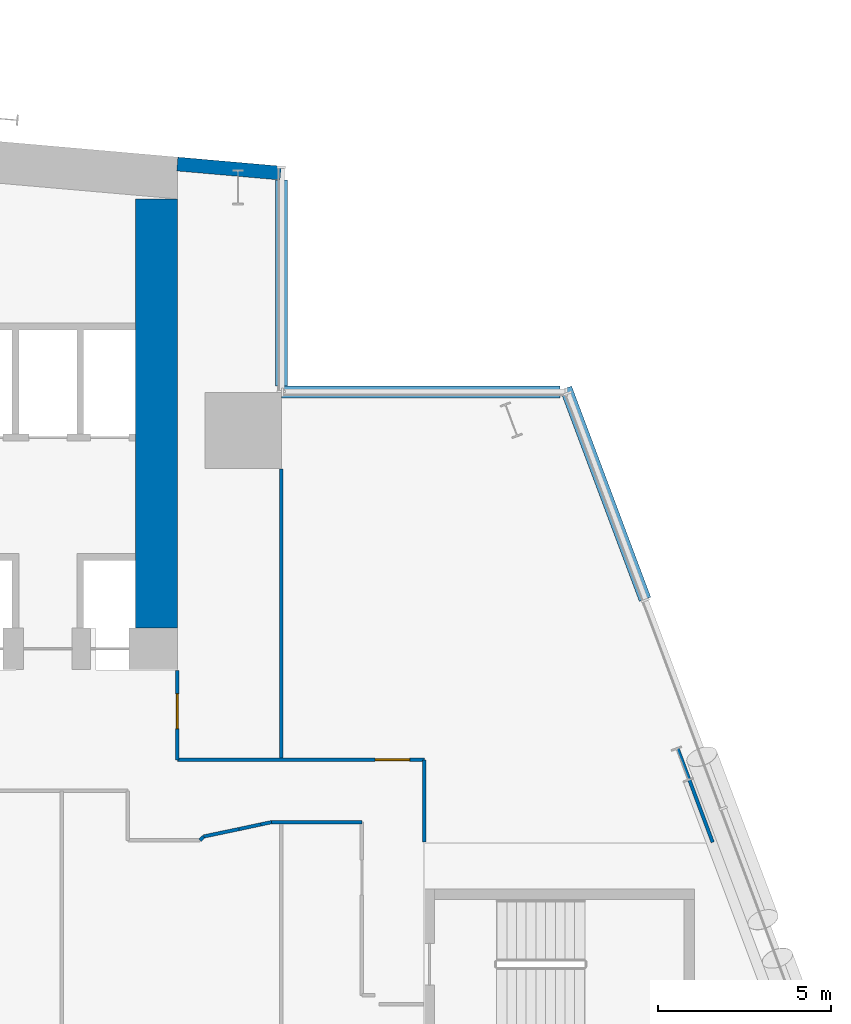
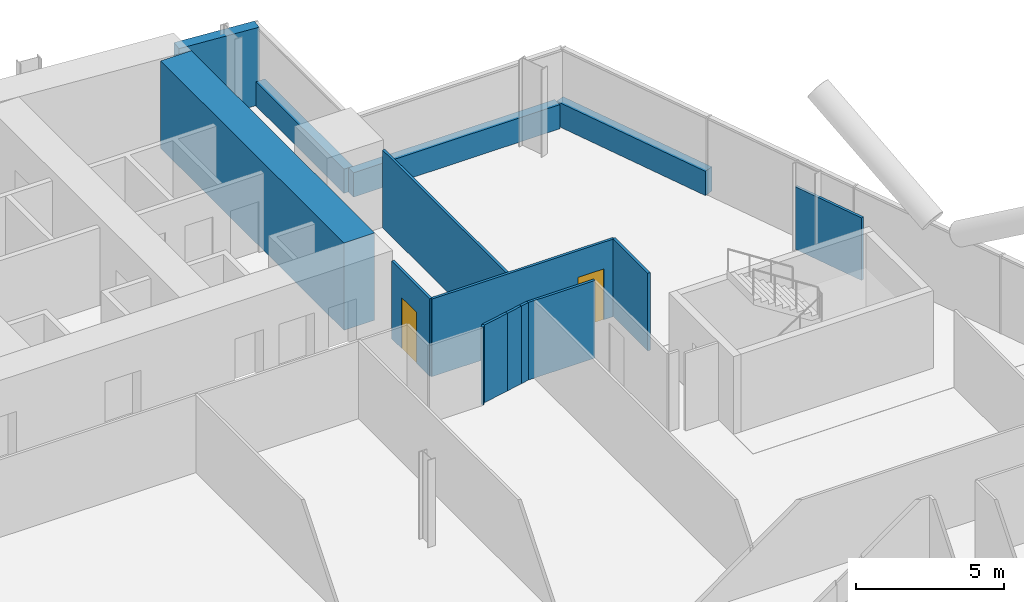
# One storey, part 19 of 27: 15 walls, 2 doors, 2 openings.
"""IFC4 building model written with IfcOpenShell, lengths in metres."""

import ifcopenshell
import ifcopenshell.guid

model = None  # the IFC model being written
_history = None  # IfcOwnerHistory: only IFC2X3 demands one
_inside = {}  # id of a spatial element -> (the spatial element, [elements in it])
_under = {}  # id of a project, library or spatial element -> (it, [spatial elements below it])
_declared = {}  # id of a project -> (the project, [libraries it declares])
_typed = {}  # id of a type object -> (the type object, [elements of that type])
_made_of = {}  # id of a material, layer set ... -> (it, [elements and type objects made of it])


def new_model(schema):
    """Start an empty IFC model of exactly this schema.

    Asked for "IFC4X3", IfcOpenShell would pick the latest addendum, in which some entities
    have other attributes; the version numbers below select the first issue.
    IFC2X3 requires an IfcOwnerHistory on every rooted entity: one is made here for all.
    """
    global model, _history
    if schema == "IFC4X3":
        model = ifcopenshell.file(schema_version=(4, 3, 0, 0))
    else:
        model = ifcopenshell.file(schema=schema)
    _inside.clear()
    _under.clear()
    _declared.clear()
    _typed.clear()
    _made_of.clear()
    _history = None
    if model.schema == "IFC2X3":
        org = make("IfcOrganization", Name="unknown")
        user = make(
            "IfcPersonAndOrganization",
            ThePerson=make("IfcPerson", FamilyName="unknown"),
            TheOrganization=org,
        )
        app = make(
            "IfcApplication",
            ApplicationDeveloper=org,
            Version="unknown",
            ApplicationFullName="unknown",
            ApplicationIdentifier="unknown",
        )
        _history = make(
            "IfcOwnerHistory",
            OwningUser=user,
            OwningApplication=app,
            ChangeAction="ADDED",
            CreationDate=0,
        )
    return model


def make(cls, **values):
    """One entity of the class cls with the attributes given. An attribute that is None is left unset."""
    return model.create_entity(
        cls, **{name: value for name, value in values.items() if value is not None}
    )


def rooted(cls, **values):
    """An entity with a GlobalId (a new one), such as an element, a storey or a relation."""
    return make(cls, GlobalId=ifcopenshell.guid.new(), OwnerHistory=_history, **values)


def si_unit(unit_type, name, prefix=None):
    """IfcSIUnit, for example si_unit("LENGTHUNIT", "METRE", prefix="MILLI")."""
    return make("IfcSIUnit", UnitType=unit_type, Prefix=prefix, Name=name)


def assignment(units):
    """IfcUnitAssignment: the units of a project."""
    return None if units is None else make("IfcUnitAssignment", Units=units)


def point(xyz):
    """IfcCartesianPoint."""
    return None if xyz is None else make("IfcCartesianPoint", Coordinates=xyz)


def direction(xyz):
    """IfcDirection."""
    return None if xyz is None else make("IfcDirection", DirectionRatios=xyz)


def frame(location, z_axis=None, x_axis=None):
    """IfcAxis2Placement3D, a coordinate frame: its origin and axes. An axis left out is left unset."""
    return make(
        "IfcAxis2Placement3D",
        Location=point(location),
        Axis=direction(z_axis),
        RefDirection=direction(x_axis),
    )


def frame_2d(location, x_axis=None):
    """IfcAxis2Placement2D, a coordinate frame in the plane: its origin and x axis."""
    return make(
        "IfcAxis2Placement2D", Location=point(location), RefDirection=direction(x_axis)
    )


def origin():
    """The frame at (0, 0, 0) with its axes left unset."""
    return frame((0.0, 0.0, 0.0))


def place(relative_to, where):
    """IfcLocalPlacement: puts the frame where relative to a parent placement (None: the world)."""
    return make(
        "IfcLocalPlacement", PlacementRelTo=relative_to, RelativePlacement=where
    )


def context(
    kind, dimensions, precision=None, world=None, true_north=None, identifier=None
):
    """IfcGeometricRepresentationContext, for example the 3D "Model" context."""
    return make(
        "IfcGeometricRepresentationContext",
        ContextIdentifier=identifier,
        ContextType=kind,
        CoordinateSpaceDimension=dimensions,
        Precision=precision,
        WorldCoordinateSystem=world,
        TrueNorth=true_north,
    )


def subcontext(parent, identifier, kind, view, scale=None):
    """IfcGeometricRepresentationSubContext, for example "Body" below "Model"."""
    return make(
        "IfcGeometricRepresentationSubContext",
        ContextIdentifier=identifier,
        ContextType=kind,
        ParentContext=parent,
        TargetScale=scale,
        TargetView=view,
    )


def project(units=None, contexts=None):
    """IfcProject with its units and contexts."""
    return rooted(
        "IfcProject",
        Name="project",
        RepresentationContexts=contexts,
        UnitsInContext=assignment(units),
    )


def spatial(cls, under=None, at=None, **own):
    """A site, building, storey or space (cls), placed at a placement, below another one or the project."""
    s = rooted(cls, ObjectPlacement=at, **own)
    if under is not None:
        _under.setdefault(under.id(), (under, []))[1].append(s)
    return s


def profile(cls, at=None, kind="AREA", **sizes):
    """A parametric profile (cls). Its sizes go by their IFC names, for example OverallWidth=200.0."""
    return make(cls, ProfileType=kind, Position=at, **sizes)


def rectangle(**sizes):
    """IfcRectangleProfileDef."""
    return profile("IfcRectangleProfileDef", **sizes)


def extrude(swept, where, along, depth):
    """IfcExtrudedAreaSolid: the profile swept, set in the frame where, extruded along a direction by depth."""
    return make(
        "IfcExtrudedAreaSolid",
        SweptArea=swept,
        Position=where,
        ExtrudedDirection=direction(along),
        Depth=depth,
    )


def shape(context_of_items, identifier, shape_type, items):
    """IfcShapeRepresentation: the items that make up one representation, for example the "Body"."""
    return make(
        "IfcShapeRepresentation",
        ContextOfItems=context_of_items,
        RepresentationIdentifier=identifier,
        RepresentationType=shape_type,
        Items=items,
    )


def material(Name=None, Category=None):
    """IfcMaterial."""
    return make("IfcMaterial", Name=Name, Category=Category)


def layer(
    of_material, thickness, ventilated=None, Name=None, Category=None, Priority=None
):
    """IfcMaterialLayer: one layer of a wall or slab, of a material (None: an air gap)."""
    return make(
        "IfcMaterialLayer",
        Material=of_material,
        LayerThickness=thickness,
        IsVentilated=ventilated,
        Name=Name,
        Category=Category,
        Priority=Priority,
    )


def layer_set(layers, Name=None):
    """IfcMaterialLayerSet."""
    return make("IfcMaterialLayerSet", MaterialLayers=layers, LayerSetName=Name)


def made_of(thing, what):
    """Note that an element or type object is made of a material, layer set ...; save() writes the relation."""
    if what is not None:
        _made_of.setdefault(what.id(), (what, []))[1].append(thing)
    return thing


def type_object(cls, material=None, **own):
    """A type object (cls), such as IfcWallType, which elements share."""
    return made_of(rooted(cls, **own), material)


def element(
    cls,
    number,
    at=None,
    inside=None,
    cuts=None,
    type_object=None,
    material=None,
    context=None,
    identifier="Body",
    shape_type=None,
    held_by="IfcProductDefinitionShape",
    body=None,
    shapes=None,
    **own,
):
    """One element of the class cls, such as IfcWall. Its Tag is "e" and its number.

    at: its placement. inside: the storey or other place that contains it. cuts: it is an
    opening in that element (IfcRelVoidsElement). A single representation is given by context,
    identifier, shape_type and body (its items); several are given by shapes. held_by: the class
    of the entity that holds the representations. save() writes the other relations.
    """
    e = rooted(cls, Tag="e%d" % number, ObjectPlacement=at, **own)
    if body is not None:
        shapes = [shape(context, identifier, shape_type, body)]
    if shapes is not None:
        e.Representation = make(held_by, Representations=shapes)
    if inside is not None:
        _inside.setdefault(inside.id(), (inside, []))[1].append(e)
    if cuts is not None:
        rooted(
            "IfcRelVoidsElement", RelatingBuildingElement=cuts, RelatedOpeningElement=e
        )
    if type_object is not None:
        _typed.setdefault(type_object.id(), (type_object, []))[1].append(e)
    return made_of(e, material)


def fill(opening, filler):
    """IfcRelFillsElement: the door or window that sits in an opening."""
    return rooted(
        "IfcRelFillsElement",
        RelatingOpeningElement=opening,
        RelatedBuildingElement=filler,
    )


def aggregate(whole, parts):
    """IfcRelAggregates: a whole, such as a stair, and the parts it consists of."""
    return rooted("IfcRelAggregates", RelatingObject=whole, RelatedObjects=parts)


def save(model, path):
    """Write the relations noted so far, then the file.

    IfcRelAggregates (storeys below a building ...), IfcRelContainedInSpatialStructure (elements
    in a storey), IfcRelDefinesByType, IfcRelAssociatesMaterial and IfcRelDeclares: one each for
    every whole, place, type object, material and project.
    """
    for whole, parts in _under.values():
        aggregate(whole, parts)
    for where, things in _inside.values():
        rooted(
            "IfcRelContainedInSpatialStructure",
            RelatedElements=things,
            RelatingStructure=where,
        )
    for kind, things in _typed.values():
        rooted("IfcRelDefinesByType", RelatedObjects=things, RelatingType=kind)
    for what, things in _made_of.values():
        rooted("IfcRelAssociatesMaterial", RelatedObjects=things, RelatingMaterial=what)
    for by, libraries in _declared.values():
        rooted("IfcRelDeclares", RelatingContext=by, RelatedDefinitions=libraries)
    model.write(path)


model = new_model("IFC4")

# Units and contexts
model_context = context("Model", 3, precision=1e-05, world=origin(), true_north=direction((0.0, 1.0)))
body_context = subcontext(model_context, "Body", "Model", "MODEL_VIEW")
ifc_project = project(units=[si_unit("LENGTHUNIT", "METRE"), si_unit("AREAUNIT", "SQUARE_METRE"), si_unit("VOLUMEUNIT", "CUBIC_METRE"), si_unit("PLANEANGLEUNIT", "RADIAN"), si_unit("MASSUNIT", "GRAM", prefix="KILO")], contexts=[model_context])

# Site, building, storey
site_placement = place(None, origin())
site = spatial("IfcSite", under=ifc_project, at=site_placement, CompositionType="ELEMENT")
building_placement = place(site_placement, origin())
building = spatial("IfcBuilding", under=site, at=building_placement, Name="Wharfspan Tower", CompositionType="ELEMENT")
storey_placement = place(building_placement, frame((0.0, 0.0, 84.699951)))
storey = spatial("IfcBuildingStorey", under=building, at=storey_placement, Name="L18", CompositionType="ELEMENT", Elevation=84.699951)

# Wall, opening, door
ifc_material_1 = material(Name="Gypsum board on steel studs", Category="steel")
ifc_layer_1 = layer(ifc_material_1, 0.100098)
ifc_layer_set_1 = layer_set([ifc_layer_1], Name="Gypsum board on steel studs")
wall_type_1 = type_object("IfcWallType", Name="Compartment wall 100 EI 60", PredefinedType="PARTITIONING", material=ifc_layer_set_1)
wall_1_placement = place(storey_placement, frame((65.0, 31.399902, 0.0), z_axis=(0.0, 0.0, 1.0), x_axis=(0.0, 1.0, 0.0)))
wall_1 = element("IfcWall", 1, at=wall_1_placement, inside=storey, type_object=wall_type_1, Name="Partition L18.w043", PredefinedType="PARTITIONING", context=body_context, shape_type="SweptSolid", body=[
    extrude(rectangle(XDim=2.580078, YDim=0.100098, at=frame_2d((1.290039, 0.0))), origin(), (0.0, 0.0, 1.0), 3.199951),
])
opening_1_placement = place(wall_1_placement, frame((0.899902, 0.0, 0.0)))
opening_1 = element("IfcOpeningElement", 2, at=opening_1_placement, cuts=wall_1, Name="Opening A5-27", PredefinedType="OPENING", context=body_context, shape_type="SweptSolid", body=[
    extrude(rectangle(XDim=1.0, YDim=2.100098, at=frame_2d((0.5, 1.050049))), frame((0.0, 0.060059, 0.0), z_axis=(0.0, -1.0, 0.0), x_axis=(1.0, 0.0, 0.0)), (0.0, 0.0, 1.0), 0.120117),
])
ifc_material_2 = material(Name="Fire-rated timber door leaf in steel frame", Category="steel")
door_type = type_object("IfcDoorType", Name="Door 1000 FD30S Right", OperationType="SINGLE_SWING_RIGHT", PredefinedType="DOOR", material=ifc_material_2)
door_1_placement = place(opening_1_placement, origin())
door_1 = element("IfcDoor", 3, at=door_1_placement, inside=storey, type_object=door_type, Name="Door A5-27", OperationType="SINGLE_SWING_RIGHT", OverallHeight=2.100098, OverallWidth=1.0, PredefinedType="DOOR", context=body_context, shape_type="SweptSolid", body=[
    extrude(rectangle(XDim=1.0, YDim=2.100098, at=frame_2d((0.5, 1.050049))), frame((0.0, 0.024902, 0.0), z_axis=(0.0, -1.0, 0.0), x_axis=(1.0, 0.0, 0.0)), (0.0, 0.0, 1.0), 0.050049),
])
fill(opening_1, door_1)

wall_2_placement = place(storey_placement, frame((65.0, 31.399902, 0.0), z_axis=(0.0, 0.0, 1.0), x_axis=(1.0, 0.0, 0.0)))
wall_2 = element("IfcWall", 4, at=wall_2_placement, inside=storey, type_object=wall_type_1, Name="Partition L18.w044", PredefinedType="PARTITIONING", context=body_context, shape_type="SweptSolid", body=[
    extrude(rectangle(XDim=7.125, YDim=0.100098, at=frame_2d((3.5625, 0.0))), origin(), (0.0, 0.0, 1.0), 3.199951),
])
opening_2_placement = place(wall_2_placement, frame((5.705078, 0.0, 0.0)))
opening_2 = element("IfcOpeningElement", 5, at=opening_2_placement, cuts=wall_2, Name="Opening A5-26", PredefinedType="OPENING", context=body_context, shape_type="SweptSolid", body=[
    extrude(rectangle(XDim=1.0, YDim=2.100098, at=frame_2d((0.5, 1.050049))), frame((0.0, 0.060059, 0.0), z_axis=(0.0, -1.0, 0.0), x_axis=(1.0, 0.0, 0.0)), (0.0, 0.0, 1.0), 0.120117),
])
door_2_placement = place(opening_2_placement, origin())
door_2 = element("IfcDoor", 6, at=door_2_placement, inside=storey, type_object=door_type, Name="Door A5-26", OperationType="SINGLE_SWING_RIGHT", OverallHeight=2.100098, OverallWidth=1.0, PredefinedType="DOOR", context=body_context, shape_type="SweptSolid", body=[
    extrude(rectangle(XDim=1.0, YDim=2.100098, at=frame_2d((0.5, 1.050049))), frame((0.0, 0.024902, 0.0), z_axis=(0.0, -1.0, 0.0), x_axis=(1.0, 0.0, 0.0)), (0.0, 0.0, 1.0), 0.050049),
])
fill(opening_2, door_2)

# Walls
wall_3_placement = place(storey_placement, frame((65.655029, 29.074951, 0.0), z_axis=(0.0, 0.0, 1.0), x_axis=(0.671773, 0.740757, 0.0)))
element("IfcWall", 7, at=wall_3_placement, inside=storey, type_object=wall_type_1, Name="Partition L18.w046", PredefinedType="PARTITIONING", context=body_context, shape_type="SweptSolid", body=[
    extrude(rectangle(XDim=0.148682, YDim=0.100098, at=frame_2d((0.074219, 0.0))), origin(), (0.0, 0.0, 1.0), 3.199951),
])
wall_4_placement = place(storey_placement, frame((65.754883, 29.185059, 0.0), z_axis=(0.0, 0.0, 1.0), x_axis=(0.978739, 0.205118, 0.0)))
element("IfcWall", 8, at=wall_4_placement, inside=storey, type_object=wall_type_1, Name="Partition L18.w047", PredefinedType="PARTITIONING", context=body_context, shape_type="SweptSolid", body=[
    extrude(rectangle(XDim=1.047363, YDim=0.100098, at=frame_2d((0.523682, 0.0))), origin(), (0.0, 0.0, 1.0), 3.199951),
])
wall_5_placement = place(storey_placement, frame((66.780029, 29.399902, 0.0), z_axis=(0.0, 0.0, 1.0), x_axis=(0.977792, 0.209581, 0.0)))
element("IfcWall", 9, at=wall_5_placement, inside=storey, type_object=wall_type_1, Name="Partition L18.w048", PredefinedType="PARTITIONING", context=body_context, shape_type="SweptSolid", body=[
    extrude(rectangle(XDim=0.644287, YDim=0.100098, at=frame_2d((0.322266, 0.0))), origin(), (0.0, 0.0, 1.0), 3.199951),
])
wall_6_placement = place(storey_placement, frame((67.409912, 29.534912, 0.0), z_axis=(0.0, 0.0, 1.0), x_axis=(0.978604, 0.205738, 0.0)))
element("IfcWall", 10, at=wall_6_placement, inside=storey, type_object=wall_type_1, Name="Partition L18.w049", PredefinedType="PARTITIONING", context=body_context, shape_type="SweptSolid", body=[
    extrude(rectangle(XDim=0.316895, YDim=0.100098, at=frame_2d((0.158447, 0.0))), origin(), (0.0, 0.0, 1.0), 3.199951),
])
wall_7_placement = place(storey_placement, frame((67.719971, 29.600098, 0.0), z_axis=(0.0, 0.0, 1.0), x_axis=(1.0, 0.0, 0.0)))
element("IfcWall", 11, at=wall_7_placement, inside=storey, type_object=wall_type_1, Name="Partition L18.w050", PredefinedType="PARTITIONING", context=body_context, shape_type="SweptSolid", body=[
    extrude(rectangle(XDim=2.60498, YDim=0.100098, at=frame_2d((1.30249, 0.0))), origin(), (0.0, 0.0, 1.0), 3.199951),
])
wall_8_placement = place(storey_placement, frame((68.0, 31.399902, 0.0), z_axis=(0.0, 0.0, 1.0), x_axis=(0.0, 1.0, 0.0)))
element("IfcWall", 12, at=wall_8_placement, inside=storey, type_object=wall_type_1, Name="Partition L18.w052", PredefinedType="PARTITIONING", context=body_context, shape_type="SweptSolid", body=[
    extrude(rectangle(XDim=8.390137, YDim=0.100098, at=frame_2d((4.195068, 0.0))), origin(), (0.0, 0.0, 1.0), 3.199951),
])
wall_9_placement = place(storey_placement, frame((72.125, 29.02002, 0.0), z_axis=(0.0, 0.0, 1.0), x_axis=(0.0, 1.0, 0.0)))
element("IfcWall", 13, at=wall_9_placement, inside=storey, type_object=wall_type_1, Name="Partition L18.w057", PredefinedType="PARTITIONING", context=body_context, shape_type="SweptSolid", body=[
    extrude(rectangle(XDim=2.379883, YDim=0.100098, at=frame_2d((1.189941, 0.0))), origin(), (0.0, 0.0, 1.0), 3.199951),
])
ifc_material_3 = material(Name="Concrete C70/85", Category="concrete")
ifc_layer_2 = layer(ifc_material_3, 1.199951)
ifc_layer_set_2 = layer_set([ifc_layer_2], Name="Concrete C70/85")
wall_type_2 = type_object("IfcWallType", Name="Core wall 1200 C70/85", PredefinedType="SHEAR", material=ifc_layer_set_2)
wall_10_placement = place(storey_placement, frame((64.399902, 35.199951, 0.0), z_axis=(0.0, 0.0, 1.0), x_axis=(0.0, 1.0, 0.0)))
element("IfcWall", 14, at=wall_10_placement, inside=storey, type_object=wall_type_2, Name="Core cross wall EW1 L18", PredefinedType="SHEAR", context=body_context, shape_type="SweptSolid", body=[
    extrude(rectangle(XDim=12.382812, YDim=1.199951, at=frame_2d((6.191406, 0.0))), origin(), (0.0, 0.0, 1.0), 3.600098),
])
ifc_layer_3 = layer(ifc_material_1, 0.100098)
ifc_layer_set_3 = layer_set([ifc_layer_3], Name="Gypsum board on steel studs")
wall_type_3 = type_object("IfcWallType", Name="Partition 100", PredefinedType="PARTITIONING", material=ifc_layer_set_3)
wall_11_placement = place(storey_placement, frame((80.446289, 29.02002, 0.0), z_axis=(0.0, 0.0, 1.0), x_axis=(-0.350707, 0.936481, 0.0)))
element("IfcWall", 15, at=wall_11_placement, inside=storey, type_object=wall_type_3, Name="Partition L18.w064", PredefinedType="PARTITIONING", context=body_context, shape_type="SweptSolid", body=[
    extrude(rectangle(XDim=2.900879, YDim=0.100098, at=frame_2d((1.450439, 0.0))), origin(), (0.0, 0.0, 1.0), 2.580078),
])
ifc_material_4 = material(Name="Concrete C40/50", Category="concrete")
ifc_layer_4 = layer(ifc_material_4, 0.350098)
ifc_layer_set_4 = layer_set([ifc_layer_4], Name="Concrete C40/50")
wall_type_4 = type_object("IfcWallType", Name="SPANDREL EXPOSED CONCRETE 350", PredefinedType="SOLIDWALL", material=ifc_layer_set_4)
wall_12_placement = place(storey_placement, frame((78.494141, 36.029785, 0.0), z_axis=(0.0, 0.0, 1.0), x_axis=(-0.351108, 0.936338, 0.0)))
element("IfcWall", 16, at=wall_12_placement, inside=storey, type_object=wall_type_4, Name="Spandrel upstand L18 E 2", PredefinedType="SOLIDWALL", context=body_context, shape_type="SweptSolid", body=[
    extrude(rectangle(XDim=6.50293, YDim=0.350098, at=frame_2d((3.251465, 0.0))), origin(), (0.0, 0.0, 1.0), 1.0),
])
wall_13_placement = place(storey_placement, frame((76.047119, 42.004883, 0.0), z_axis=(0.0, 0.0, 1.0), x_axis=(-1.0, 0.0, 0.0)))
element("IfcWall", 17, at=wall_13_placement, inside=storey, type_object=wall_type_4, Name="Spandrel upstand L18 NRE-H", PredefinedType="SOLIDWALL", context=body_context, shape_type="SweptSolid", body=[
    extrude(rectangle(XDim=8.047119, YDim=0.350098, at=frame_2d((4.023438, 0.0))), origin(), (0.0, 0.0, 1.0), 1.0),
])
wall_14_placement = place(storey_placement, frame((68.004883, 42.179932, 0.0), z_axis=(0.0, 0.0, 1.0), x_axis=(0.0, 1.0, 0.0)))
element("IfcWall", 18, at=wall_14_placement, inside=storey, type_object=wall_type_4, Name="Spandrel upstand L18 NRE-V", PredefinedType="SOLIDWALL", context=body_context, shape_type="SweptSolid", body=[
    extrude(rectangle(XDim=5.946533, YDim=0.350098, at=frame_2d((2.973145, 0.0))), origin(), (0.0, 0.0, 1.0), 1.0),
])
ifc_layer_5 = layer(ifc_material_4, 0.399902)
ifc_layer_set_5 = layer_set([ifc_layer_5], Name="Concrete C40/50")
wall_type_5 = type_object("IfcWallType", Name="WALL EXPOSED CONCRETE 400", PredefinedType="SOLIDWALL", material=ifc_layer_set_5)
wall_15_placement = place(storey_placement, frame((67.982666, 48.325684, 0.0), z_axis=(0.0, 0.0, 1.0), x_axis=(-0.996194, 0.087168, 0.0)))
element("IfcWall", 19, at=wall_15_placement, inside=storey, type_object=wall_type_5, Name="Rear wall N2", PredefinedType="SOLIDWALL", context=body_context, shape_type="SweptSolid", body=[
    extrude(rectangle(XDim=2.994141, YDim=0.399902, at=frame_2d((1.49707, 0.0))), origin(), (0.0, 0.0, 1.0), 3.199951),
])

save(model, "model.ifc")
